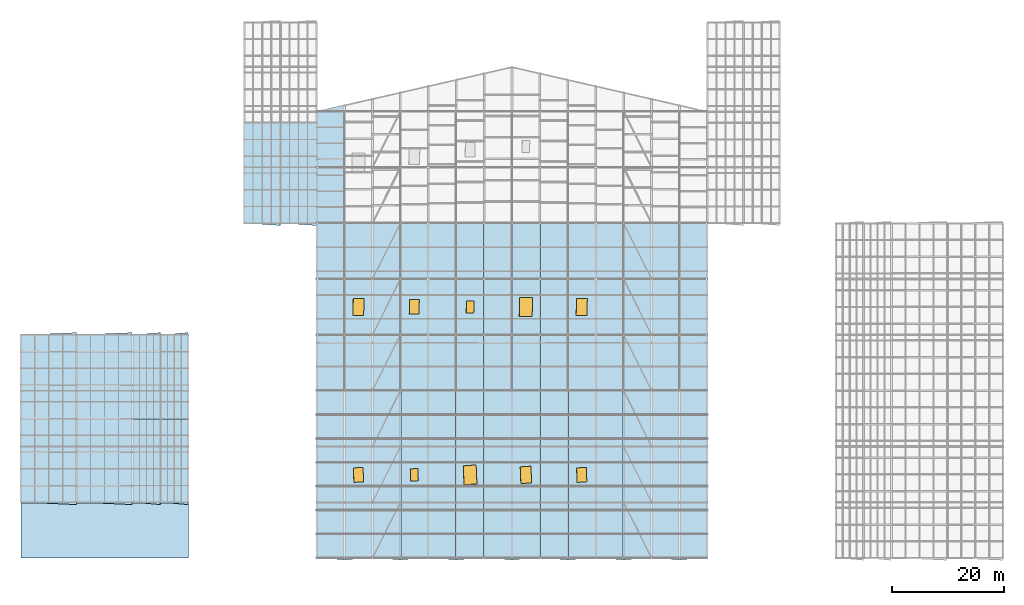
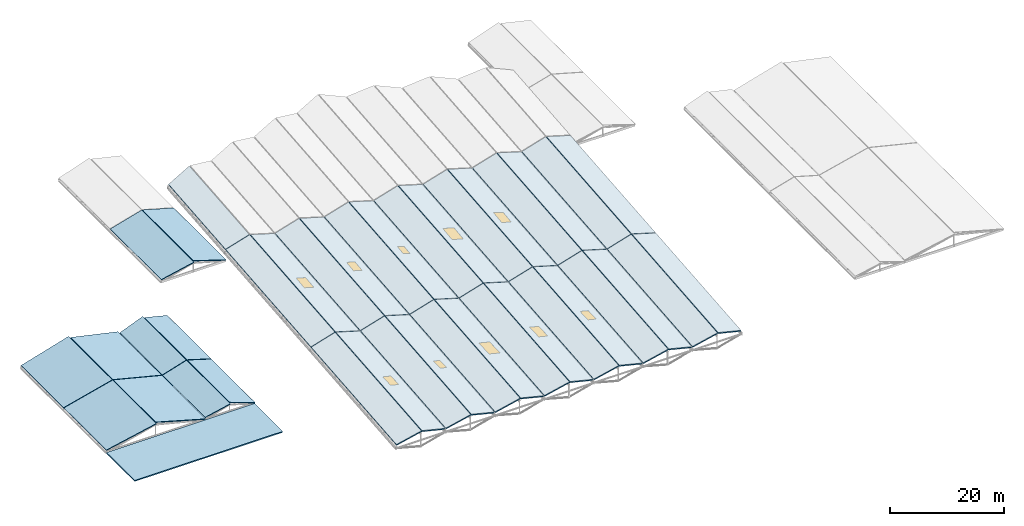
# One storey, part 74 of 90: 40 slabs, 10 windows, 10 openings.
"""IFC4 building model written with IfcOpenShell, lengths in metres."""

from ifc_helpers import new_model, si_unit, direction, frame, origin, origin_2d, place, context, subcontext, project, spatial, polyline, rectangle, outline, extrude, material, layer, layer_set, type_object, element, fill, save


model = new_model("IFC4")

# Units and contexts
model_context = context("Model", 3, precision=1e-05, world=origin(), true_north=direction((0.0, 1.0)))
body_context = subcontext(model_context, "Body", "Model", "MODEL_VIEW")
ifc_project = project(units=[si_unit("LENGTHUNIT", "METRE"), si_unit("AREAUNIT", "SQUARE_METRE"), si_unit("VOLUMEUNIT", "CUBIC_METRE"), si_unit("PLANEANGLEUNIT", "RADIAN"), si_unit("MASSUNIT", "GRAM", prefix="KILO"), si_unit("THERMODYNAMICTEMPERATUREUNIT", "KELVIN"), si_unit("POWERUNIT", "WATT")], contexts=[model_context])

# Site, building, storey
site_placement = place(None, origin())
site = spatial("IfcSite", under=ifc_project, at=site_placement, CompositionType="ELEMENT")
building_placement = place(site_placement, origin())
building = spatial("IfcBuilding", under=site, at=building_placement, Name="Korenveer Ferry Terminal", CompositionType="ELEMENT")
storey_placement = place(building_placement, frame((0.0, 0.0, 22.199951171875)))
storey = spatial("IfcBuildingStorey", under=building, at=storey_placement, Name="RF", CompositionType="ELEMENT", Elevation=22.199951171875)

# Slab
ifc_material_1 = material(Name="Concrete C35/45", Category="concrete")
ifc_layer_1 = layer(ifc_material_1, 0.239990234375)
ifc_layer_set_1 = layer_set([ifc_layer_1], Name="Concrete C35/45")
slab_type_1 = type_object("IfcSlabType", Name="STR-SL-ROOF240", PredefinedType="ROOF", material=ifc_layer_set_1)
slab_1_placement = place(storey_placement, frame((53.080078125, 20.050048828125, -10.671142578125), z_axis=(-0.28796299979, -0.086598525711, 0.953717990863), x_axis=(0.956740417504, -0.069209268924, 0.282591313756)))
element("IfcSlab", 1, at=slab_1_placement, inside=storey, type_object=slab_type_1, Name="Folded prow roof facet RF-PROW-001", PredefinedType="ROOF", context=body_context, shape_type="SweptSolid", body=[
    extrude(outline(polyline([(0.0, 0.0), (5.058652409733072, 5.551115123125783e-17), (3.7413012413650737, 30.34587517125199), (-1.3021591201418403, 29.994648162131245), (0.0, 0.0)])), origin(), (0.0, 0.0, -1.0), 0.239990234375),
])

# Slab, opening, window
slab_2_placement = place(storey_placement, frame((58.080078125, 19.699951171875, -9.24169921875), z_axis=(0.28796299979, -0.086598525711, 0.953717990863), x_axis=(0.956740417504, 0.069209268924, -0.282591313756)))
slab_2 = element("IfcSlab", 2, at=slab_2_placement, inside=storey, type_object=slab_type_1, Name="Folded prow roof facet RF-PROW-002", PredefinedType="ROOF", context=body_context, shape_type="SweptSolid", body=[
    extrude(outline(polyline([(0.0, 0.0), (5.058652409733072, -5.551115123125783e-17), (6.360811529874913, 29.994648162131245), (1.317351168367998, 30.34587517125199), (0.0, 0.0)])), origin(), (0.0, 0.0, -1.0), 0.239990234375),
])
opening_1_placement = place(slab_2_placement, frame((3.184326171875, 15.085693359375, 0.010009765625)))
opening_1 = element("IfcOpeningElement", 3, at=opening_1_placement, cuts=slab_2, Name="Opening SK-02", PredefinedType="OPENING", context=body_context, shape_type="SweptSolid", body=[
    extrude(rectangle(XDim=1.800048828125, YDim=2.60009765625, at=origin_2d()), origin(), (0.0, 0.0, -1.0), 0.260009765625),
])
ifc_material_2 = material(Name="Insulated laminated roof skylight glazing", Category="glass")
window_type_1 = type_object("IfcWindowType", Name="ENV-SKY-02", PartitioningType="SINGLE_PANEL", PredefinedType="SKYLIGHT", material=ifc_material_2)
window_1_placement = place(slab_2_placement, frame((3.184326171875, 15.085693359375, -0.010009765625)))
window_1 = element("IfcWindow", 4, at=window_1_placement, inside=storey, type_object=window_type_1, Name="Folded roof clerestory skylight 1", OverallHeight=2.60009765625, OverallWidth=1.800048828125, PartitioningType="SINGLE_PANEL", PredefinedType="SKYLIGHT", context=body_context, shape_type="SweptSolid", body=[
    extrude(rectangle(XDim=1.800048828125, YDim=2.60009765625, at=origin_2d()), origin(), (0.0, 0.0, -1.0), 0.06005859375),
])
fill(opening_1, window_1)

# Slab
slab_3_placement = place(storey_placement, frame((53.080078125, 50.050048828125, -7.947265625), z_axis=(-0.287980534707, -0.086594992647, 0.953713017044), x_axis=(0.957309054357, 0.0, 0.28906638415)))
element("IfcSlab", 5, at=slab_3_placement, inside=storey, type_object=slab_type_1, Name="Folded prow roof facet RF-PROW-003", PredefinedType="ROOF", context=body_context, shape_type="SweptSolid", body=[
    extrude(outline(polyline([(0.0, 0.0), (5.0556753098390566, 0.0), (5.840445376182921, 30.01264188130848), (0.7847700663438637, 30.01264188130848), (0.0, 0.0)])), origin(), (0.0, 0.0, -1.0), 0.239990234375),
])

# Slab, opening, window
slab_4_placement = place(storey_placement, frame((58.080078125, 50.050048828125, -6.48583984375), z_axis=(0.287980534707, -0.086594992647, 0.953713017044), x_axis=(0.957309054357, 0.0, -0.28906638415)))
slab_4 = element("IfcSlab", 6, at=slab_4_placement, inside=storey, type_object=slab_type_1, Name="Folded prow roof facet RF-PROW-004", PredefinedType="ROOF", context=body_context, shape_type="SweptSolid", body=[
    extrude(outline(polyline([(0.0, 0.0), (5.0556753098390566, 0.0), (4.270905243495193, 30.01264188130848), (-0.7847700663438637, 30.01264188130848), (0.0, 0.0)])), origin(), (0.0, 0.0, -1.0), 0.239990234375),
])
opening_2_placement = place(slab_4_placement, frame((2.135498046875, 15.00634765625, 0.010009765625)))
opening_2 = element("IfcOpeningElement", 7, at=opening_2_placement, cuts=slab_4, Name="Opening SK-03", PredefinedType="OPENING", context=body_context, shape_type="SweptSolid", body=[
    extrude(rectangle(XDim=2.0, YDim=3.0, at=origin_2d()), origin(), (0.0, 0.0, -1.0), 0.260009765625),
])
window_type_2 = type_object("IfcWindowType", Name="ENV-SKY-03", PartitioningType="SINGLE_PANEL", PredefinedType="SKYLIGHT", material=ifc_material_2)
window_2_placement = place(slab_4_placement, frame((2.135498046875, 15.00634765625, -0.010009765625)))
window_2 = element("IfcWindow", 8, at=window_2_placement, inside=storey, type_object=window_type_2, Name="Folded roof clerestory skylight 2", OverallHeight=3.0, OverallWidth=2.0, PartitioningType="SINGLE_PANEL", PredefinedType="SKYLIGHT", context=body_context, shape_type="SweptSolid", body=[
    extrude(rectangle(XDim=2.0, YDim=3.0, at=origin_2d()), origin(), (0.0, 0.0, -1.0), 0.06005859375),
])
fill(opening_2, window_2)

# Slabs
slab_5_placement = place(storey_placement, frame((53.080078125, 80.050048828125, -5.223388671875), z_axis=(-0.287970947123, -0.086600317744, 0.953715428511), x_axis=(0.957311898219, 8.55209e-07, 0.289056965886)))
element("IfcSlab", 9, at=slab_5_placement, inside=storey, type_object=slab_type_1, Name="Folded prow roof facet RF-PROW-005", PredefinedType="ROOF", context=body_context, shape_type="SweptSolid", body=[
    extrude(outline(polyline([(0.0, 0.0), (5.0556753095925355, 2.7755575615628914e-17), (5.6088252903286655, 21.153930545298525), (0.5241445393468925, 20.04356655846498), (0.0, 0.0)])), origin(), (0.0, 0.0, -1.0), 0.239990234375),
])
slab_6_placement = place(storey_placement, frame((63.080078125, 20.050048828125, -10.671142578125), z_axis=(-0.28796299979, -0.086598525711, 0.953717990863), x_axis=(0.956740417504, -0.069209268924, 0.282591313756)))
element("IfcSlab", 10, at=slab_6_placement, inside=storey, type_object=slab_type_1, Name="Folded prow roof facet RF-PROW-007", PredefinedType="ROOF", context=body_context, shape_type="SweptSolid", body=[
    extrude(outline(polyline([(0.0, 0.0), (5.058652409733072, 5.551115123125783e-17), (3.7413012413650737, 30.34587517125199), (-1.3021591201418403, 29.994648162131245), (0.0, 0.0)])), origin(), (0.0, 0.0, -1.0), 0.239990234375),
])

# Slab, opening, window
slab_7_placement = place(storey_placement, frame((68.080078125, 19.699951171875, -9.24169921875), z_axis=(0.28796299979, -0.086598525711, 0.953717990863), x_axis=(0.956740417504, 0.069209268924, -0.282591313756)))
slab_7 = element("IfcSlab", 11, at=slab_7_placement, inside=storey, type_object=slab_type_1, Name="Folded prow roof facet RF-PROW-008", PredefinedType="ROOF", context=body_context, shape_type="SweptSolid", body=[
    extrude(outline(polyline([(0.0, 0.0), (5.058652409733072, -5.551115123125783e-17), (6.360811529874913, 29.994648162131245), (1.317351168367998, 30.34587517125199), (0.0, 0.0)])), origin(), (0.0, 0.0, -1.0), 0.239990234375),
])
opening_3_placement = place(slab_7_placement, frame((3.184326171875, 15.085693359375, 0.010009765625)))
opening_3 = element("IfcOpeningElement", 12, at=opening_3_placement, cuts=slab_7, Name="Opening SK-01", PredefinedType="OPENING", context=body_context, shape_type="SweptSolid", body=[
    extrude(rectangle(XDim=1.39990234375, YDim=2.199951171875, at=origin_2d()), origin(), (0.0, 0.0, -1.0), 0.260009765625),
])
window_type_3 = type_object("IfcWindowType", Name="ENV-SKY-01", PartitioningType="SINGLE_PANEL", PredefinedType="SKYLIGHT", material=ifc_material_2)
window_3_placement = place(slab_7_placement, frame((3.184326171875, 15.085693359375, -0.010009765625)))
window_3 = element("IfcWindow", 13, at=window_3_placement, inside=storey, type_object=window_type_3, Name="Folded roof clerestory skylight 4", OverallHeight=2.199951171875, OverallWidth=1.39990234375, PartitioningType="SINGLE_PANEL", PredefinedType="SKYLIGHT", context=body_context, shape_type="SweptSolid", body=[
    extrude(rectangle(XDim=1.39990234375, YDim=2.199951171875, at=origin_2d()), origin(), (0.0, 0.0, -1.0), 0.06005859375),
])
fill(opening_3, window_3)

# Slab
slab_8_placement = place(storey_placement, frame((63.080078125, 50.050048828125, -7.947265625), z_axis=(-0.287980534707, -0.086594992647, 0.953713017044), x_axis=(0.957309054357, 0.0, 0.28906638415)))
element("IfcSlab", 14, at=slab_8_placement, inside=storey, type_object=slab_type_1, Name="Folded prow roof facet RF-PROW-009", PredefinedType="ROOF", context=body_context, shape_type="SweptSolid", body=[
    extrude(outline(polyline([(0.0, 0.0), (5.0556753098390566, 0.0), (5.840445376182921, 30.01264188130848), (0.7847700663438637, 30.01264188130848), (0.0, 0.0)])), origin(), (0.0, 0.0, -1.0), 0.239990234375),
])

# Slab, opening, window
slab_9_placement = place(storey_placement, frame((68.080078125, 50.050048828125, -6.48583984375), z_axis=(0.287980534707, -0.086594992647, 0.953713017044), x_axis=(0.957309054357, 0.0, -0.28906638415)))
slab_9 = element("IfcSlab", 15, at=slab_9_placement, inside=storey, type_object=slab_type_1, Name="Folded prow roof facet RF-PROW-010", PredefinedType="ROOF", context=body_context, shape_type="SweptSolid", body=[
    extrude(outline(polyline([(0.0, 0.0), (5.0556753098390566, 0.0), (4.270905243495193, 30.01264188130848), (-0.7847700663438637, 30.01264188130848), (0.0, 0.0)])), origin(), (0.0, 0.0, -1.0), 0.239990234375),
])
opening_4_placement = place(slab_9_placement, frame((2.135498046875, 15.00634765625, 0.010009765625)))
opening_4 = element("IfcOpeningElement", 16, at=opening_4_placement, cuts=slab_9, Name="Opening SK-02", PredefinedType="OPENING", context=body_context, shape_type="SweptSolid", body=[
    extrude(rectangle(XDim=1.800048828125, YDim=2.60009765625, at=origin_2d()), origin(), (0.0, 0.0, -1.0), 0.260009765625),
])
window_4_placement = place(slab_9_placement, frame((2.135498046875, 15.00634765625, -0.010009765625)))
window_4 = element("IfcWindow", 17, at=window_4_placement, inside=storey, type_object=window_type_1, Name="Folded roof clerestory skylight 5", OverallHeight=2.60009765625, OverallWidth=1.800048828125, PartitioningType="SINGLE_PANEL", PredefinedType="SKYLIGHT", context=body_context, shape_type="SweptSolid", body=[
    extrude(rectangle(XDim=1.800048828125, YDim=2.60009765625, at=origin_2d()), origin(), (0.0, 0.0, -1.0), 0.06005859375),
])
fill(opening_4, window_4)

# Slab
slab_10_placement = place(storey_placement, frame((73.080078125, 20.050048828125, -10.671142578125), z_axis=(-0.28796299979, -0.086598525711, 0.953717990863), x_axis=(0.956740417504, -0.069209268924, 0.282591313756)))
element("IfcSlab", 18, at=slab_10_placement, inside=storey, type_object=slab_type_1, Name="Folded prow roof facet RF-PROW-013", PredefinedType="ROOF", context=body_context, shape_type="SweptSolid", body=[
    extrude(outline(polyline([(0.0, 0.0), (5.058652409733072, 5.551115123125783e-17), (3.7413012413650737, 30.34587517125199), (-1.3021591201418403, 29.994648162131245), (0.0, 0.0)])), origin(), (0.0, 0.0, -1.0), 0.239990234375),
])

# Slab, opening, window
slab_11_placement = place(storey_placement, frame((78.080078125, 19.699951171875, -9.24169921875), z_axis=(0.28796299979, -0.086598525711, 0.953717990863), x_axis=(0.956740417504, 0.069209268924, -0.282591313756)))
slab_11 = element("IfcSlab", 19, at=slab_11_placement, inside=storey, type_object=slab_type_1, Name="Folded prow roof facet RF-PROW-014", PredefinedType="ROOF", context=body_context, shape_type="SweptSolid", body=[
    extrude(outline(polyline([(0.0, 0.0), (5.058652409733072, -5.551115123125783e-17), (6.360811529874913, 29.994648162131245), (1.317351168367998, 30.34587517125199), (0.0, 0.0)])), origin(), (0.0, 0.0, -1.0), 0.239990234375),
])
opening_5_placement = place(slab_11_placement, frame((3.184326171875, 15.085693359375, 0.010009765625)))
opening_5 = element("IfcOpeningElement", 20, at=opening_5_placement, cuts=slab_11, Name="Opening SK-04", PredefinedType="OPENING", context=body_context, shape_type="SweptSolid", body=[
    extrude(rectangle(XDim=2.39990234375, YDim=3.39990234375, at=origin_2d()), origin(), (0.0, 0.0, -1.0), 0.260009765625),
])
window_type_4 = type_object("IfcWindowType", Name="ENV-SKY-04", PartitioningType="SINGLE_PANEL", PredefinedType="SKYLIGHT", material=ifc_material_2)
window_5_placement = place(slab_11_placement, frame((3.184326171875, 15.085693359375, -0.010009765625)))
window_5 = element("IfcWindow", 21, at=window_5_placement, inside=storey, type_object=window_type_4, Name="Folded roof clerestory skylight 7", OverallHeight=3.39990234375, OverallWidth=2.39990234375, PartitioningType="SINGLE_PANEL", PredefinedType="SKYLIGHT", context=body_context, shape_type="SweptSolid", body=[
    extrude(rectangle(XDim=2.39990234375, YDim=3.39990234375, at=origin_2d()), origin(), (0.0, 0.0, -1.0), 0.06005859375),
])
fill(opening_5, window_5)

# Slab
slab_12_placement = place(storey_placement, frame((73.080078125, 50.050048828125, -7.947265625), z_axis=(-0.287980534707, -0.086594992647, 0.953713017044), x_axis=(0.957309054357, 0.0, 0.28906638415)))
element("IfcSlab", 22, at=slab_12_placement, inside=storey, type_object=slab_type_1, Name="Folded prow roof facet RF-PROW-015", PredefinedType="ROOF", context=body_context, shape_type="SweptSolid", body=[
    extrude(outline(polyline([(0.0, 0.0), (5.0556753098390566, 0.0), (5.840445376182921, 30.01264188130848), (0.7847700663438637, 30.01264188130848), (0.0, 0.0)])), origin(), (0.0, 0.0, -1.0), 0.239990234375),
])

# Slab, opening, window
slab_13_placement = place(storey_placement, frame((78.080078125, 50.050048828125, -6.48583984375), z_axis=(0.287980534707, -0.086594992647, 0.953713017044), x_axis=(0.957309054357, 0.0, -0.28906638415)))
slab_13 = element("IfcSlab", 23, at=slab_13_placement, inside=storey, type_object=slab_type_1, Name="Folded prow roof facet RF-PROW-016", PredefinedType="ROOF", context=body_context, shape_type="SweptSolid", body=[
    extrude(outline(polyline([(0.0, 0.0), (5.0556753098390566, 0.0), (4.270905243495193, 30.01264188130848), (-0.7847700663438637, 30.01264188130848), (0.0, 0.0)])), origin(), (0.0, 0.0, -1.0), 0.239990234375),
])
opening_6_placement = place(slab_13_placement, frame((2.135498046875, 15.00634765625, 0.010009765625)))
opening_6 = element("IfcOpeningElement", 24, at=opening_6_placement, cuts=slab_13, Name="Opening SK-01", PredefinedType="OPENING", context=body_context, shape_type="SweptSolid", body=[
    extrude(rectangle(XDim=1.39990234375, YDim=2.199951171875, at=origin_2d()), origin(), (0.0, 0.0, -1.0), 0.260009765625),
])
window_6_placement = place(slab_13_placement, frame((2.135498046875, 15.00634765625, -0.010009765625)))
window_6 = element("IfcWindow", 25, at=window_6_placement, inside=storey, type_object=window_type_3, Name="Folded roof clerestory skylight 8", OverallHeight=2.199951171875, OverallWidth=1.39990234375, PartitioningType="SINGLE_PANEL", PredefinedType="SKYLIGHT", context=body_context, shape_type="SweptSolid", body=[
    extrude(rectangle(XDim=1.39990234375, YDim=2.199951171875, at=origin_2d()), origin(), (0.0, 0.0, -1.0), 0.06005859375),
])
fill(opening_6, window_6)

# Slab
slab_14_placement = place(storey_placement, frame((83.080078125, 20.050048828125, -10.671142578125), z_axis=(-0.28796299979, -0.086598525711, 0.953717990863), x_axis=(0.956740417504, -0.069209268924, 0.282591313756)))
element("IfcSlab", 26, at=slab_14_placement, inside=storey, type_object=slab_type_1, Name="Folded prow roof facet RF-PROW-019", PredefinedType="ROOF", context=body_context, shape_type="SweptSolid", body=[
    extrude(outline(polyline([(0.0, 0.0), (5.058652409733072, 5.551115123125783e-17), (3.7413012413650737, 30.34587517125199), (-1.3021591201418403, 29.994648162131245), (0.0, 0.0)])), origin(), (0.0, 0.0, -1.0), 0.239990234375),
])

# Slab, opening, window
slab_15_placement = place(storey_placement, frame((88.080078125, 19.699951171875, -9.24169921875), z_axis=(0.28796299979, -0.086598525711, 0.953717990863), x_axis=(0.956740417504, 0.069209268924, -0.282591313756)))
slab_15 = element("IfcSlab", 27, at=slab_15_placement, inside=storey, type_object=slab_type_1, Name="Folded prow roof facet RF-PROW-020", PredefinedType="ROOF", context=body_context, shape_type="SweptSolid", body=[
    extrude(outline(polyline([(0.0, 0.0), (5.058652409733072, -5.551115123125783e-17), (6.360811529874913, 29.994648162131245), (1.317351168367998, 30.34587517125199), (0.0, 0.0)])), origin(), (0.0, 0.0, -1.0), 0.239990234375),
])
opening_7_placement = place(slab_15_placement, frame((3.184326171875, 15.085693359375, 0.010009765625)))
opening_7 = element("IfcOpeningElement", 28, at=opening_7_placement, cuts=slab_15, Name="Opening SK-03", PredefinedType="OPENING", context=body_context, shape_type="SweptSolid", body=[
    extrude(rectangle(XDim=2.0, YDim=3.0, at=origin_2d()), origin(), (0.0, 0.0, -1.0), 0.260009765625),
])
window_7_placement = place(slab_15_placement, frame((3.184326171875, 15.085693359375, -0.010009765625)))
window_7 = element("IfcWindow", 29, at=window_7_placement, inside=storey, type_object=window_type_2, Name="Folded roof clerestory skylight 10", OverallHeight=3.0, OverallWidth=2.0, PartitioningType="SINGLE_PANEL", PredefinedType="SKYLIGHT", context=body_context, shape_type="SweptSolid", body=[
    extrude(rectangle(XDim=2.0, YDim=3.0, at=origin_2d()), origin(), (0.0, 0.0, -1.0), 0.06005859375),
])
fill(opening_7, window_7)

# Slab
slab_16_placement = place(storey_placement, frame((83.080078125, 50.050048828125, -7.947265625), z_axis=(-0.287980534707, -0.086594992647, 0.953713017044), x_axis=(0.957309054357, 0.0, 0.28906638415)))
element("IfcSlab", 30, at=slab_16_placement, inside=storey, type_object=slab_type_1, Name="Folded prow roof facet RF-PROW-021", PredefinedType="ROOF", context=body_context, shape_type="SweptSolid", body=[
    extrude(outline(polyline([(0.0, 0.0), (5.0556753098390566, 0.0), (5.840445376182921, 30.01264188130848), (0.7847700663438637, 30.01264188130848), (0.0, 0.0)])), origin(), (0.0, 0.0, -1.0), 0.239990234375),
])

# Slab, opening, window
slab_17_placement = place(storey_placement, frame((88.080078125, 50.050048828125, -6.48583984375), z_axis=(0.287980534707, -0.086594992647, 0.953713017044), x_axis=(0.957309054357, 0.0, -0.28906638415)))
slab_17 = element("IfcSlab", 31, at=slab_17_placement, inside=storey, type_object=slab_type_1, Name="Folded prow roof facet RF-PROW-022", PredefinedType="ROOF", context=body_context, shape_type="SweptSolid", body=[
    extrude(outline(polyline([(0.0, 0.0), (5.0556753098390566, 0.0), (4.270905243495193, 30.01264188130848), (-0.7847700663438637, 30.01264188130848), (0.0, 0.0)])), origin(), (0.0, 0.0, -1.0), 0.239990234375),
])
opening_8_placement = place(slab_17_placement, frame((2.135498046875, 15.00634765625, 0.010009765625)))
opening_8 = element("IfcOpeningElement", 32, at=opening_8_placement, cuts=slab_17, Name="Opening SK-04", PredefinedType="OPENING", context=body_context, shape_type="SweptSolid", body=[
    extrude(rectangle(XDim=2.39990234375, YDim=3.39990234375, at=origin_2d()), origin(), (0.0, 0.0, -1.0), 0.260009765625),
])
window_8_placement = place(slab_17_placement, frame((2.135498046875, 15.00634765625, -0.010009765625)))
window_8 = element("IfcWindow", 33, at=window_8_placement, inside=storey, type_object=window_type_4, Name="Folded roof clerestory skylight 11", OverallHeight=3.39990234375, OverallWidth=2.39990234375, PartitioningType="SINGLE_PANEL", PredefinedType="SKYLIGHT", context=body_context, shape_type="SweptSolid", body=[
    extrude(rectangle(XDim=2.39990234375, YDim=3.39990234375, at=origin_2d()), origin(), (0.0, 0.0, -1.0), 0.06005859375),
])
fill(opening_8, window_8)

# Slab
slab_18_placement = place(storey_placement, frame((93.080078125, 20.050048828125, -10.671142578125), z_axis=(-0.28796299979, -0.086598525711, 0.953717990863), x_axis=(0.956740417504, -0.069209268924, 0.282591313756)))
element("IfcSlab", 34, at=slab_18_placement, inside=storey, type_object=slab_type_1, Name="Folded prow roof facet RF-PROW-025", PredefinedType="ROOF", context=body_context, shape_type="SweptSolid", body=[
    extrude(outline(polyline([(0.0, 0.0), (5.058652409733072, 5.551115123125783e-17), (3.7413012413650737, 30.34587517125199), (-1.3021591201418403, 29.994648162131245), (0.0, 0.0)])), origin(), (0.0, 0.0, -1.0), 0.239990234375),
])

# Slab, opening, window
slab_19_placement = place(storey_placement, frame((98.080078125, 19.699951171875, -9.24169921875), z_axis=(0.28796299979, -0.086598525711, 0.953717990863), x_axis=(0.956740417504, 0.069209268924, -0.282591313756)))
slab_19 = element("IfcSlab", 35, at=slab_19_placement, inside=storey, type_object=slab_type_1, Name="Folded prow roof facet RF-PROW-026", PredefinedType="ROOF", context=body_context, shape_type="SweptSolid", body=[
    extrude(outline(polyline([(0.0, 0.0), (5.058652409733072, -5.551115123125783e-17), (6.360811529874913, 29.994648162131245), (1.317351168367998, 30.34587517125199), (0.0, 0.0)])), origin(), (0.0, 0.0, -1.0), 0.239990234375),
])
opening_9_placement = place(slab_19_placement, frame((3.184326171875, 15.085693359375, 0.010009765625)))
opening_9 = element("IfcOpeningElement", 36, at=opening_9_placement, cuts=slab_19, Name="Opening SK-02", PredefinedType="OPENING", context=body_context, shape_type="SweptSolid", body=[
    extrude(rectangle(XDim=1.800048828125, YDim=2.60009765625, at=origin_2d()), origin(), (0.0, 0.0, -1.0), 0.260009765625),
])
window_9_placement = place(slab_19_placement, frame((3.184326171875, 15.085693359375, -0.010009765625)))
window_9 = element("IfcWindow", 37, at=window_9_placement, inside=storey, type_object=window_type_1, Name="Folded roof clerestory skylight 13", OverallHeight=2.60009765625, OverallWidth=1.800048828125, PartitioningType="SINGLE_PANEL", PredefinedType="SKYLIGHT", context=body_context, shape_type="SweptSolid", body=[
    extrude(rectangle(XDim=1.800048828125, YDim=2.60009765625, at=origin_2d()), origin(), (0.0, 0.0, -1.0), 0.06005859375),
])
fill(opening_9, window_9)

# Slab
slab_20_placement = place(storey_placement, frame((93.080078125, 50.050048828125, -7.947265625), z_axis=(-0.287980534707, -0.086594992647, 0.953713017044), x_axis=(0.957309054357, 0.0, 0.28906638415)))
element("IfcSlab", 38, at=slab_20_placement, inside=storey, type_object=slab_type_1, Name="Folded prow roof facet RF-PROW-027", PredefinedType="ROOF", context=body_context, shape_type="SweptSolid", body=[
    extrude(outline(polyline([(0.0, 0.0), (5.0556753098390566, 0.0), (5.840445376182921, 30.01264188130848), (0.7847700663438637, 30.01264188130848), (0.0, 0.0)])), origin(), (0.0, 0.0, -1.0), 0.239990234375),
])

# Slab, opening, window
slab_21_placement = place(storey_placement, frame((98.080078125, 50.050048828125, -6.48583984375), z_axis=(0.287980534707, -0.086594992647, 0.953713017044), x_axis=(0.957309054357, 0.0, -0.28906638415)))
slab_21 = element("IfcSlab", 39, at=slab_21_placement, inside=storey, type_object=slab_type_1, Name="Folded prow roof facet RF-PROW-028", PredefinedType="ROOF", context=body_context, shape_type="SweptSolid", body=[
    extrude(outline(polyline([(0.0, 0.0), (5.0556753098390566, 0.0), (4.270905243495193, 30.01264188130848), (-0.7847700663438637, 30.01264188130848), (0.0, 0.0)])), origin(), (0.0, 0.0, -1.0), 0.239990234375),
])
opening_10_placement = place(slab_21_placement, frame((2.135498046875, 15.00634765625, 0.010009765625)))
opening_10 = element("IfcOpeningElement", 40, at=opening_10_placement, cuts=slab_21, Name="Opening SK-03", PredefinedType="OPENING", context=body_context, shape_type="SweptSolid", body=[
    extrude(rectangle(XDim=2.0, YDim=3.0, at=origin_2d()), origin(), (0.0, 0.0, -1.0), 0.260009765625),
])
window_10_placement = place(slab_21_placement, frame((2.135498046875, 15.00634765625, -0.010009765625)))
window_10 = element("IfcWindow", 41, at=window_10_placement, inside=storey, type_object=window_type_2, Name="Folded roof clerestory skylight 14", OverallHeight=3.0, OverallWidth=2.0, PartitioningType="SINGLE_PANEL", PredefinedType="SKYLIGHT", context=body_context, shape_type="SweptSolid", body=[
    extrude(rectangle(XDim=2.0, YDim=3.0, at=origin_2d()), origin(), (0.0, 0.0, -1.0), 0.06005859375),
])
fill(opening_10, window_10)

# Slabs
slab_22_placement = place(storey_placement, frame((103.080078125, 20.050048828125, -10.671142578125), z_axis=(-0.28796299979, -0.086598525711, 0.953717990863), x_axis=(0.956740417504, -0.069209268924, 0.282591313756)))
element("IfcSlab", 42, at=slab_22_placement, inside=storey, type_object=slab_type_1, Name="Folded prow roof facet RF-PROW-031", PredefinedType="ROOF", context=body_context, shape_type="SweptSolid", body=[
    extrude(outline(polyline([(0.0, 0.0), (5.058652409733072, 5.551115123125783e-17), (3.7413012413650737, 30.34587517125199), (-1.3021591201418403, 29.994648162131245), (0.0, 0.0)])), origin(), (0.0, 0.0, -1.0), 0.239990234375),
])
slab_23_placement = place(storey_placement, frame((108.080078125, 19.699951171875, -9.24169921875), z_axis=(0.28796299979, -0.086598525711, 0.953717990863), x_axis=(0.956740417504, 0.069209268924, -0.282591313756)))
element("IfcSlab", 43, at=slab_23_placement, inside=storey, type_object=slab_type_1, Name="Folded prow roof facet RF-PROW-032", PredefinedType="ROOF", context=body_context, shape_type="SweptSolid", body=[
    extrude(outline(polyline([(0.0, 0.0), (5.058652409733072, -5.551115123125783e-17), (6.360811529874913, 29.994648162131245), (1.317351168367998, 30.34587517125199), (0.0, 0.0)])), origin(), (0.0, 0.0, -1.0), 0.239990234375),
])
slab_24_placement = place(storey_placement, frame((103.080078125, 50.050048828125, -7.947265625), z_axis=(-0.287980534707, -0.086594992647, 0.953713017044), x_axis=(0.957309054357, 0.0, 0.28906638415)))
element("IfcSlab", 44, at=slab_24_placement, inside=storey, type_object=slab_type_1, Name="Folded prow roof facet RF-PROW-033", PredefinedType="ROOF", context=body_context, shape_type="SweptSolid", body=[
    extrude(outline(polyline([(0.0, 0.0), (5.0556753098390566, 0.0), (5.840445376182921, 30.01264188130848), (0.7847700663438637, 30.01264188130848), (0.0, 0.0)])), origin(), (0.0, 0.0, -1.0), 0.239990234375),
])
slab_25_placement = place(storey_placement, frame((108.080078125, 50.050048828125, -6.48583984375), z_axis=(0.287980534707, -0.086594992647, 0.953713017044), x_axis=(0.957309054357, 0.0, -0.28906638415)))
element("IfcSlab", 45, at=slab_25_placement, inside=storey, type_object=slab_type_1, Name="Folded prow roof facet RF-PROW-034", PredefinedType="ROOF", context=body_context, shape_type="SweptSolid", body=[
    extrude(outline(polyline([(0.0, 0.0), (5.0556753098390566, 0.0), (4.270905243495193, 30.01264188130848), (-0.7847700663438637, 30.01264188130848), (0.0, 0.0)])), origin(), (0.0, 0.0, -1.0), 0.239990234375),
])
slab_26_placement = place(storey_placement, frame((113.080078125, 20.050048828125, -10.671142578125), z_axis=(-0.28796299979, -0.086598525711, 0.953717990863), x_axis=(0.956740417504, -0.069209268924, 0.282591313756)))
element("IfcSlab", 46, at=slab_26_placement, inside=storey, type_object=slab_type_1, Name="Folded prow roof facet RF-PROW-037", PredefinedType="ROOF", context=body_context, shape_type="SweptSolid", body=[
    extrude(outline(polyline([(0.0, 0.0), (5.058652409733072, 5.551115123125783e-17), (3.7413012413650737, 30.34587517125199), (-1.3021591201418403, 29.994648162131245), (0.0, 0.0)])), origin(), (0.0, 0.0, -1.0), 0.239990234375),
])
slab_27_placement = place(storey_placement, frame((118.080078125, 19.699951171875, -9.24169921875), z_axis=(0.28796299979, -0.086598525711, 0.953717990863), x_axis=(0.956740417504, 0.069209268924, -0.282591313756)))
element("IfcSlab", 47, at=slab_27_placement, inside=storey, type_object=slab_type_1, Name="Folded prow roof facet RF-PROW-038", PredefinedType="ROOF", context=body_context, shape_type="SweptSolid", body=[
    extrude(outline(polyline([(0.0, 0.0), (5.058652409733072, -5.551115123125783e-17), (6.360811529874913, 29.994648162131245), (1.317351168367998, 30.34587517125199), (0.0, 0.0)])), origin(), (0.0, 0.0, -1.0), 0.239990234375),
])
slab_28_placement = place(storey_placement, frame((113.080078125, 50.050048828125, -7.947265625), z_axis=(-0.287980534707, -0.086594992647, 0.953713017044), x_axis=(0.957309054357, 0.0, 0.28906638415)))
element("IfcSlab", 48, at=slab_28_placement, inside=storey, type_object=slab_type_1, Name="Folded prow roof facet RF-PROW-039", PredefinedType="ROOF", context=body_context, shape_type="SweptSolid", body=[
    extrude(outline(polyline([(0.0, 0.0), (5.0556753098390566, 0.0), (5.840445376182921, 30.01264188130848), (0.7847700663438637, 30.01264188130848), (0.0, 0.0)])), origin(), (0.0, 0.0, -1.0), 0.239990234375),
])
slab_29_placement = place(storey_placement, frame((118.080078125, 50.050048828125, -6.48583984375), z_axis=(0.287980534707, -0.086594992647, 0.953713017044), x_axis=(0.957309054357, 0.0, -0.28906638415)))
element("IfcSlab", 49, at=slab_29_placement, inside=storey, type_object=slab_type_1, Name="Folded prow roof facet RF-PROW-040", PredefinedType="ROOF", context=body_context, shape_type="SweptSolid", body=[
    extrude(outline(polyline([(0.0, 0.0), (5.0556753098390566, 0.0), (4.270905243495193, 30.01264188130848), (-0.7847700663438637, 30.01264188130848), (0.0, 0.0)])), origin(), (0.0, 0.0, -1.0), 0.239990234375),
])
slab_30_placement = place(storey_placement, origin())
element("IfcSlab", 50, at=slab_30_placement, inside=storey, type_object=slab_type_1, Name="Harbourmaster head-house roof slab", PredefinedType="ROOF", context=body_context, shape_type="SweptSolid", body=[
    extrude(outline(polyline([(0.0, 20.0), (30.0, 20.0), (30.0, 29.8798828125), (0.0, 29.8798828125), (0.0, 20.0)])), origin(), (0.0, 0.0, 1.0), 0.239990234375),
])
ifc_layer_2 = layer(ifc_material_1, 0.159912109375)
ifc_layer_set_2 = layer_set([ifc_layer_2], Name="Concrete C35/45")
slab_type_2 = type_object("IfcSlabType", Name="STR-SL-WING160", PredefinedType="ROOF", material=ifc_layer_set_2)
for number, where, z_axis, x_axis, name in (
    (51, (0.06005859375, 30.0400390625, 0.64013671875), (-0.245307875698, 0.0, 0.969445225952), (0.96850174602, -0.044107658345, 0.245069138066), "Pitched wing roof WEST 1.1"),
    (52, (10.06005859375, 30.0400390625, 3.14013671875), (0.245307875698, 0.0, 0.969445225952), (0.96850174602, -0.044107658345, -0.245069138066), "Pitched wing roof WEST 1.2"),
):
    element("IfcSlab", number, at=place(storey_placement, frame(where, z_axis=z_axis, x_axis=x_axis)), inside=storey, type_object=slab_type_2, Name=name, PredefinedType="ROOF", context=body_context, shape_type="SweptSolid", body=[
        extrude(outline(polyline([(0.0, 0.0), (10.201202892100744, 5.204170427930421e-17), (9.523273782939851, 15.354914835322496), (-0.6580828165998014, 14.905401563278982), (0.0, 0.0)])), origin(), (0.0, 0.0, -1.0), 0.159912109375),
    ])
for number, where, z_axis, x_axis, name in (
    (53, (0.06005859375, 45.0400390625, 0.64013671875), (-0.245307875698, 0.0, 0.969445225952), (0.969445225952, 0.0, 0.245307875698), "Pitched wing roof WEST 2.1"),
    (54, (10.06005859375, 45.0400390625, 3.14013671875), (0.245307875698, 0.0, 0.969445225952), (0.969445225952, 0.0, -0.245307875698), "Pitched wing roof WEST 2.2"),
):
    element("IfcSlab", number, at=place(storey_placement, frame(where, z_axis=z_axis, x_axis=x_axis)), inside=storey, type_object=slab_type_2, Name=name, PredefinedType="ROOF", context=body_context, shape_type="SweptSolid", body=[
        extrude(outline(polyline([(0.0, 0.0), (10.191274914785339, 0.0), (10.191274914785339, 15.369873046874998), (0.0, 14.919921874999998), (0.0, 0.0)])), origin(), (0.0, 0.0, -1.0), 0.159912109375),
    ])
for number, where, z_axis, x_axis, name in (
    (55, (20.06005859375, 30.0400390625, 0.64013671875), (-0.293817001266, 0.0, 0.955861689664), (0.95217067334, -0.087795204671, 0.292682440314), "Pitched wing roof WESTL4E 1.1"),
    (56, (25.06005859375, 30.0400390625, 2.14013671875), (0.293817001266, 0.0, 0.955861689664), (0.95217067334, -0.087795204671, -0.292682440314), "Pitched wing roof WESTL4E 1.2"),
):
    element("IfcSlab", number, at=place(storey_placement, frame(where, z_axis=z_axis, x_axis=x_axis)), inside=storey, type_object=slab_type_2, Name=name, PredefinedType="ROOF", context=body_context, shape_type="SweptSolid", body=[
        extrude(outline(polyline([(0.0, 0.0), (5.1250085190958075, 4.163336342344337e-17), (3.7756073691770355, 15.310522983022247), (-1.3098975946920177, 14.862309277078161), (0.0, 0.0)])), origin(), (0.0, 0.0, -1.0), 0.159912109375),
    ])
for number, where, z_axis, x_axis, name in (
    (57, (20.06005859375, 45.0400390625, 0.64013671875), (-0.293817001266, 0.0, 0.955861689664), (0.955861689664, 0.0, 0.293817001266), "Pitched wing roof WESTL4E 2.1"),
    (58, (25.06005859375, 45.0400390625, 2.14013671875), (0.293817001266, 0.0, 0.955861689664), (0.955861689664, 0.0, -0.293817001266), "Pitched wing roof WESTL4E 2.2"),
):
    element("IfcSlab", number, at=place(storey_placement, frame(where, z_axis=z_axis, x_axis=x_axis)), inside=storey, type_object=slab_type_2, Name=name, PredefinedType="ROOF", context=body_context, shape_type="SweptSolid", body=[
        extrude(outline(polyline([(0.0, 0.0), (5.105218532416894, 0.0), (5.105218532416894, 15.369873046875), (0.0, 14.919921875), (0.0, 0.0)])), origin(), (0.0, 0.0, -1.0), 0.159912109375),
    ])
for number, where, z_axis, x_axis, name in (
    (59, (40.06005859375, 80.0400390625, -7.159912109375), (-0.271543265701, 0.0, 0.96242623346), (0.960216803595, -0.06772078559, 0.270919887223), "Pitched wing roof PIERW 1.1"),
    (60, (46.56005859375, 80.0400390625, -5.35986328125), (0.271543265701, 0.0, 0.96242623346), (0.960216803595, -0.06772078559, -0.270919887223), "Pitched wing roof PIERW 1.2"),
):
    element("IfcSlab", number, at=place(storey_placement, frame(where, z_axis=z_axis, x_axis=x_axis)), inside=storey, type_object=slab_type_2, Name=name, PredefinedType="ROOF", context=body_context, shape_type="SweptSolid", body=[
        extrude(outline(polyline([(0.0, 0.0), (6.644210753877301, -2.0816681711721685e-17), (5.4001885199629225, 18.327701559110768), (-1.2135511870780729, 17.878783334512583), (0.0, 0.0)])), origin(), (0.0, 0.0, -1.0), 0.159912109375),
    ])

save(model, "model.ifc")
